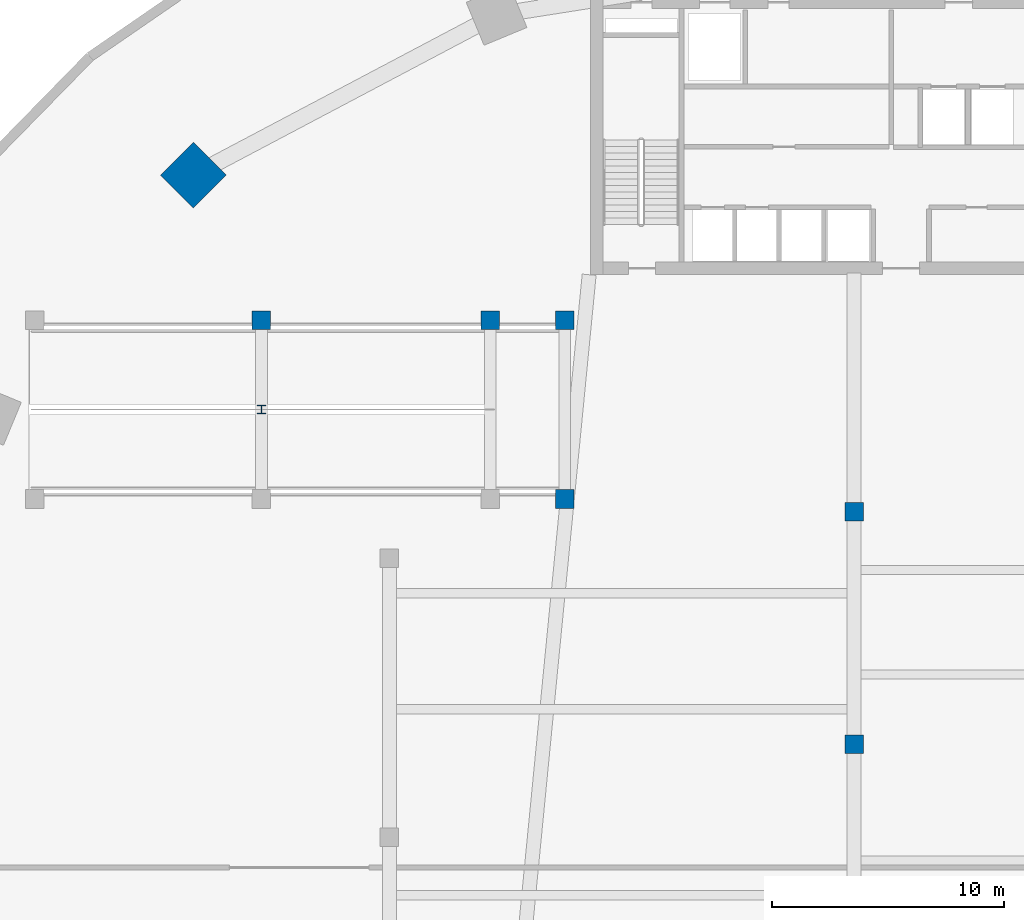
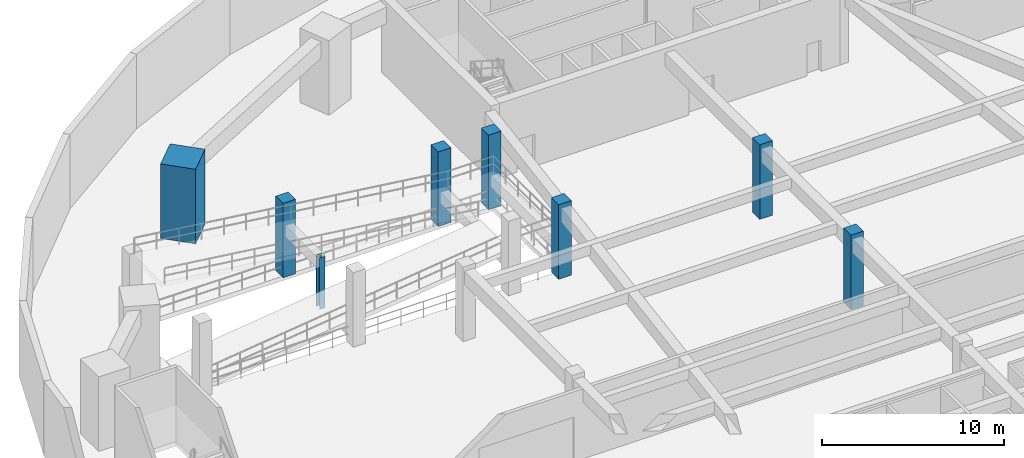
# One storey, part 2 of 10: 8 columns.
"""IFC4 building model written with IfcOpenShell, lengths in metres."""

import ifcopenshell
import ifcopenshell.guid

model = None  # the IFC model being written
_history = None  # IfcOwnerHistory: only IFC2X3 demands one
_inside = {}  # id of a spatial element -> (the spatial element, [elements in it])
_under = {}  # id of a project, library or spatial element -> (it, [spatial elements below it])
_declared = {}  # id of a project -> (the project, [libraries it declares])
_typed = {}  # id of a type object -> (the type object, [elements of that type])
_made_of = {}  # id of a material, layer set ... -> (it, [elements and type objects made of it])


def new_model(schema):
    """Start an empty IFC model of exactly this schema.

    Asked for "IFC4X3", IfcOpenShell would pick the latest addendum, in which some entities
    have other attributes; the version numbers below select the first issue.
    IFC2X3 requires an IfcOwnerHistory on every rooted entity: one is made here for all.
    """
    global model, _history
    if schema == "IFC4X3":
        model = ifcopenshell.file(schema_version=(4, 3, 0, 0))
    else:
        model = ifcopenshell.file(schema=schema)
    _inside.clear()
    _under.clear()
    _declared.clear()
    _typed.clear()
    _made_of.clear()
    _history = None
    if model.schema == "IFC2X3":
        org = make("IfcOrganization", Name="unknown")
        user = make(
            "IfcPersonAndOrganization",
            ThePerson=make("IfcPerson", FamilyName="unknown"),
            TheOrganization=org,
        )
        app = make(
            "IfcApplication",
            ApplicationDeveloper=org,
            Version="unknown",
            ApplicationFullName="unknown",
            ApplicationIdentifier="unknown",
        )
        _history = make(
            "IfcOwnerHistory",
            OwningUser=user,
            OwningApplication=app,
            ChangeAction="ADDED",
            CreationDate=0,
        )
    return model


def make(cls, **values):
    """One entity of the class cls with the attributes given. An attribute that is None is left unset."""
    return model.create_entity(
        cls, **{name: value for name, value in values.items() if value is not None}
    )


def rooted(cls, **values):
    """An entity with a GlobalId (a new one), such as an element, a storey or a relation."""
    return make(cls, GlobalId=ifcopenshell.guid.new(), OwnerHistory=_history, **values)


def si_unit(unit_type, name, prefix=None):
    """IfcSIUnit, for example si_unit("LENGTHUNIT", "METRE", prefix="MILLI")."""
    return make("IfcSIUnit", UnitType=unit_type, Prefix=prefix, Name=name)


def assignment(units):
    """IfcUnitAssignment: the units of a project."""
    return None if units is None else make("IfcUnitAssignment", Units=units)


def point(xyz):
    """IfcCartesianPoint."""
    return None if xyz is None else make("IfcCartesianPoint", Coordinates=xyz)


def direction(xyz):
    """IfcDirection."""
    return None if xyz is None else make("IfcDirection", DirectionRatios=xyz)


def frame(location, z_axis=None, x_axis=None):
    """IfcAxis2Placement3D, a coordinate frame: its origin and axes. An axis left out is left unset."""
    return make(
        "IfcAxis2Placement3D",
        Location=point(location),
        Axis=direction(z_axis),
        RefDirection=direction(x_axis),
    )


def frame_2d(location, x_axis=None):
    """IfcAxis2Placement2D, a coordinate frame in the plane: its origin and x axis."""
    return make(
        "IfcAxis2Placement2D", Location=point(location), RefDirection=direction(x_axis)
    )


def origin():
    """The frame at (0, 0, 0) with its axes left unset."""
    return frame((0.0, 0.0, 0.0))


def origin_2d():
    """The frame at (0, 0) in the plane with its x axis left unset."""
    return frame_2d((0.0, 0.0))


def place(relative_to, where):
    """IfcLocalPlacement: puts the frame where relative to a parent placement (None: the world)."""
    return make(
        "IfcLocalPlacement", PlacementRelTo=relative_to, RelativePlacement=where
    )


def context(
    kind, dimensions, precision=None, world=None, true_north=None, identifier=None
):
    """IfcGeometricRepresentationContext, for example the 3D "Model" context."""
    return make(
        "IfcGeometricRepresentationContext",
        ContextIdentifier=identifier,
        ContextType=kind,
        CoordinateSpaceDimension=dimensions,
        Precision=precision,
        WorldCoordinateSystem=world,
        TrueNorth=true_north,
    )


def subcontext(parent, identifier, kind, view, scale=None):
    """IfcGeometricRepresentationSubContext, for example "Body" below "Model"."""
    return make(
        "IfcGeometricRepresentationSubContext",
        ContextIdentifier=identifier,
        ContextType=kind,
        ParentContext=parent,
        TargetScale=scale,
        TargetView=view,
    )


def project(units=None, contexts=None):
    """IfcProject with its units and contexts."""
    return rooted(
        "IfcProject",
        Name="project",
        RepresentationContexts=contexts,
        UnitsInContext=assignment(units),
    )


def spatial(cls, under=None, at=None, **own):
    """A site, building, storey or space (cls), placed at a placement, below another one or the project."""
    s = rooted(cls, ObjectPlacement=at, **own)
    if under is not None:
        _under.setdefault(under.id(), (under, []))[1].append(s)
    return s


def profile(cls, at=None, kind="AREA", **sizes):
    """A parametric profile (cls). Its sizes go by their IFC names, for example OverallWidth=200.0."""
    return make(cls, ProfileType=kind, Position=at, **sizes)


def rectangle(**sizes):
    """IfcRectangleProfileDef."""
    return profile("IfcRectangleProfileDef", **sizes)


def i_section(**sizes):
    """IfcIShapeProfileDef."""
    return profile("IfcIShapeProfileDef", **sizes)


def extrude(swept, where, along, depth):
    """IfcExtrudedAreaSolid: the profile swept, set in the frame where, extruded along a direction by depth."""
    return make(
        "IfcExtrudedAreaSolid",
        SweptArea=swept,
        Position=where,
        ExtrudedDirection=direction(along),
        Depth=depth,
    )


def shape(context_of_items, identifier, shape_type, items):
    """IfcShapeRepresentation: the items that make up one representation, for example the "Body"."""
    return make(
        "IfcShapeRepresentation",
        ContextOfItems=context_of_items,
        RepresentationIdentifier=identifier,
        RepresentationType=shape_type,
        Items=items,
    )


def source(mapping_origin, context_of_items, identifier, shape_type, items):
    """IfcRepresentationMap: a shape defined once, which mapped items show again and again."""
    return make(
        "IfcRepresentationMap",
        MappingOrigin=mapping_origin,
        MappedRepresentation=shape(context_of_items, identifier, shape_type, items),
    )


def transform(
    local_origin,
    x_axis=None,
    y_axis=None,
    z_axis=None,
    scale=None,
    scale2=None,
    scale3=None,
    uniform=True,
):
    """IfcCartesianTransformationOperator3D, or its non-uniform kind. x_axis, y_axis, z_axis: its Axis1, 2, 3."""
    if uniform:
        return make(
            "IfcCartesianTransformationOperator3D",
            Axis1=direction(x_axis),
            Axis2=direction(y_axis),
            LocalOrigin=point(local_origin),
            Scale=scale,
            Axis3=direction(z_axis),
        )
    return make(
        "IfcCartesianTransformationOperator3DnonUniform",
        Axis1=direction(x_axis),
        Axis2=direction(y_axis),
        LocalOrigin=point(local_origin),
        Scale=scale,
        Axis3=direction(z_axis),
        Scale2=scale2,
        Scale3=scale3,
    )


def mapped(mapping_source, mapping_target):
    """IfcMappedItem: shows the shape of a source again, moved by a transform."""
    return make(
        "IfcMappedItem", MappingSource=mapping_source, MappingTarget=mapping_target
    )


def material(Name=None, Category=None):
    """IfcMaterial."""
    return make("IfcMaterial", Name=Name, Category=Category)


def material_profile(
    of_material, cross_section, Name=None, Category=None, Priority=None
):
    """IfcMaterialProfile: a cross section and its material."""
    return make(
        "IfcMaterialProfile",
        Name=Name,
        Material=of_material,
        Profile=cross_section,
        Priority=Priority,
        Category=Category,
    )


def profile_set(profiles, Name=None, composite=None):
    """IfcMaterialProfileSet."""
    return make(
        "IfcMaterialProfileSet",
        Name=Name,
        MaterialProfiles=profiles,
        CompositeProfile=composite,
    )


def made_of(thing, what):
    """Note that an element or type object is made of a material, layer set ...; save() writes the relation."""
    if what is not None:
        _made_of.setdefault(what.id(), (what, []))[1].append(thing)
    return thing


def type_object(cls, material=None, **own):
    """A type object (cls), such as IfcWallType, which elements share."""
    return made_of(rooted(cls, **own), material)


def type_shapes(of_type, sources):
    """Give a type object the sources (RepresentationMaps) that its elements show as mapped items."""
    of_type.RepresentationMaps = sources


def element(
    cls,
    number,
    at=None,
    inside=None,
    cuts=None,
    type_object=None,
    material=None,
    context=None,
    identifier="Body",
    shape_type=None,
    held_by="IfcProductDefinitionShape",
    body=None,
    shapes=None,
    **own,
):
    """One element of the class cls, such as IfcWall. Its Tag is "e" and its number.

    at: its placement. inside: the storey or other place that contains it. cuts: it is an
    opening in that element (IfcRelVoidsElement). A single representation is given by context,
    identifier, shape_type and body (its items); several are given by shapes. held_by: the class
    of the entity that holds the representations. save() writes the other relations.
    """
    e = rooted(cls, Tag="e%d" % number, ObjectPlacement=at, **own)
    if body is not None:
        shapes = [shape(context, identifier, shape_type, body)]
    if shapes is not None:
        e.Representation = make(held_by, Representations=shapes)
    if inside is not None:
        _inside.setdefault(inside.id(), (inside, []))[1].append(e)
    if cuts is not None:
        rooted(
            "IfcRelVoidsElement", RelatingBuildingElement=cuts, RelatedOpeningElement=e
        )
    if type_object is not None:
        _typed.setdefault(type_object.id(), (type_object, []))[1].append(e)
    return made_of(e, material)


def aggregate(whole, parts):
    """IfcRelAggregates: a whole, such as a stair, and the parts it consists of."""
    return rooted("IfcRelAggregates", RelatingObject=whole, RelatedObjects=parts)


def save(model, path):
    """Write the relations noted so far, then the file.

    IfcRelAggregates (storeys below a building ...), IfcRelContainedInSpatialStructure (elements
    in a storey), IfcRelDefinesByType, IfcRelAssociatesMaterial and IfcRelDeclares: one each for
    every whole, place, type object, material and project.
    """
    for whole, parts in _under.values():
        aggregate(whole, parts)
    for where, things in _inside.values():
        rooted(
            "IfcRelContainedInSpatialStructure",
            RelatedElements=things,
            RelatingStructure=where,
        )
    for kind, things in _typed.values():
        rooted("IfcRelDefinesByType", RelatedObjects=things, RelatingType=kind)
    for what, things in _made_of.values():
        rooted("IfcRelAssociatesMaterial", RelatedObjects=things, RelatingMaterial=what)
    for by, libraries in _declared.values():
        rooted("IfcRelDeclares", RelatingContext=by, RelatedDefinitions=libraries)
    model.write(path)


model = new_model("IFC4")

# Units and contexts
model_context = context("Model", 3, precision=1e-05, world=origin(), true_north=direction((0.0, 1.0)))
body_context = subcontext(model_context, "Body", "Model", "MODEL_VIEW")
ifc_project = project(units=[si_unit("LENGTHUNIT", "METRE"), si_unit("AREAUNIT", "SQUARE_METRE"), si_unit("VOLUMEUNIT", "CUBIC_METRE"), si_unit("PLANEANGLEUNIT", "RADIAN"), si_unit("MASSUNIT", "GRAM", prefix="KILO")], contexts=[model_context])

# Site, building, storey
site_placement = place(None, origin())
site = spatial("IfcSite", under=ifc_project, at=site_placement, CompositionType="ELEMENT")
building_placement = place(site_placement, origin())
building = spatial("IfcBuilding", under=site, at=building_placement, Name="Breltana Convention Tower", CompositionType="ELEMENT")
storey_placement = place(building_placement, frame((0.0, 0.0, -5.0)))
storey = spatial("IfcBuildingStorey", under=building, at=storey_placement, Name="B01", CompositionType="ELEMENT", Elevation=-5.0)

# Columns
ifc_material_1 = material(Name="Concrete C60/75", Category="concrete")
ifc_material_profile_1 = material_profile(ifc_material_1, rectangle(XDim=2.0, YDim=2.0, at=origin_2d()), Name="RC-COL-2000X2000")
ifc_profile_set_1 = profile_set([ifc_material_profile_1], Name="Concrete C60/75")
column_type_1 = type_object("IfcColumnType", Name="COL-MC-2000", PredefinedType="COLUMN", material=ifc_profile_set_1)
shared_shape_1 = source(origin(), body_context, "Body", "SweptSolid", [
    extrude(rectangle(XDim=2.0, YDim=2.0, at=origin_2d()), origin(), (0.0, 0.0, 1.0), 5.0),
])
type_shapes(column_type_1, [shared_shape_1])
column_1_placement = place(storey_placement, frame((19.57421875, 64.486083984375, 0.0), z_axis=(0.0, 0.0, 1.0), x_axis=(-0.707106781187, 0.707106781187, 0.0)))
element("IfcColumn", 1, at=column_1_placement, inside=storey, type_object=column_type_1, Name="B01 Podium Mega-Column MC-07", PredefinedType="COLUMN", context=body_context, shape_type="MappedRepresentation", body=[
    mapped(shared_shape_1, transform((0.0, 0.0, 0.0), scale=1.0)),
])
ifc_material_2 = material(Name="Concrete C50/60", Category="concrete")
ifc_material_profile_2 = material_profile(ifc_material_2, rectangle(XDim=0.800048828125, YDim=0.800048828125, at=origin_2d()), Name="RC-COL-800X800")
ifc_profile_set_2 = profile_set([ifc_material_profile_2], Name="Concrete C50/60")
column_type_2 = type_object("IfcColumnType", Name="COL-RC-800", PredefinedType="COLUMN", material=ifc_profile_set_2)
shared_shape_2 = source(origin(), body_context, "Body", "SweptSolid", [
    extrude(rectangle(XDim=0.800048828125, YDim=0.800048828125, at=origin_2d()), origin(), (0.0, 0.0, 1.0), 5.0),
])
type_shapes(column_type_2, [shared_shape_2])
for number, where, z_axis, x_axis, name in (
    (2, (48.0, 40.0, 0.0), (0.0, 0.0, 1.0), (1.0, 0.0, 0.0), "B01 Basement Parking Grid Column BG-C2"),
    (3, (48.0, 50.0, 0.0), (0.0, 0.0, 1.0), (1.0, 0.0, 0.0), "B01 Basement Parking Grid Column BG-C3"),
    (4, (22.5, 58.25, 0.0), (0.0, 0.0, 1.0), (1.0, 0.0, 0.0), "B01 Vehicular Ramp Support Column 04"),
    (5, (32.35009765625, 58.25, 0.0), (0.0, 0.0, 1.0), (1.0, 0.0, 0.0), "B01 Vehicular Ramp Support Column 06"),
    (6, (35.550048828125, 50.550048828125, 0.0), (0.0, 0.0, 1.0), (1.0, 0.0, 0.0), "B01 Vehicular Ramp Support Column 07"),
    (7, (35.550048828125, 58.25, 0.0), (0.0, 0.0, 1.0), (1.0, 0.0, 0.0), "B01 Vehicular Ramp Support Column 08"),
):
    element("IfcColumn", number, at=place(storey_placement, frame(where, z_axis=z_axis, x_axis=x_axis)), inside=storey, type_object=column_type_2, Name=name, PredefinedType="COLUMN", context=body_context, shape_type="MappedRepresentation", body=[
        mapped(shared_shape_2, transform((0.0, 0.0, 0.0), scale=1.0)),
    ])
ifc_material_3 = material(Name="Steel ASTM A992 Grade 50", Category="steel")
ifc_material_profile_3 = material_profile(ifc_material_3, i_section(OverallWidth=0.368896484375, OverallDepth=0.35595703125, WebThickness=0.01123046875, FlangeThickness=0.01806640625, at=origin_2d()), Name="W14X90")
ifc_profile_set_3 = profile_set([ifc_material_profile_3], Name="Steel ASTM A992 Grade 50")
column_type_3 = type_object("IfcColumnType", Name="COL-STL-W14X90", PredefinedType="COLUMN", material=ifc_profile_set_3)
shared_shape_3 = source(origin(), body_context, "Body", "SweptSolid", [
    extrude(i_section(OverallWidth=0.368896484375, OverallDepth=0.35595703125, WebThickness=0.01123046875, FlangeThickness=0.01806640625, at=origin_2d()), origin(), (0.0, 0.0, 1.0), 3.449951171875),
])
column_2_placement = place(storey_placement, frame((22.5, 54.39990234375, 0.0), z_axis=(0.0, 0.0, 1.0), x_axis=(1.0, 0.0, 0.0)))
element("IfcColumn", 8, at=column_2_placement, inside=storey, type_object=column_type_3, Name="B01 Vehicular Ramp Spine Column", PredefinedType="COLUMN", context=body_context, shape_type="MappedRepresentation", body=[
    mapped(shared_shape_3, transform((0.0, 0.0, 0.0), scale=1.0)),
])

save(model, "model.ifc")
